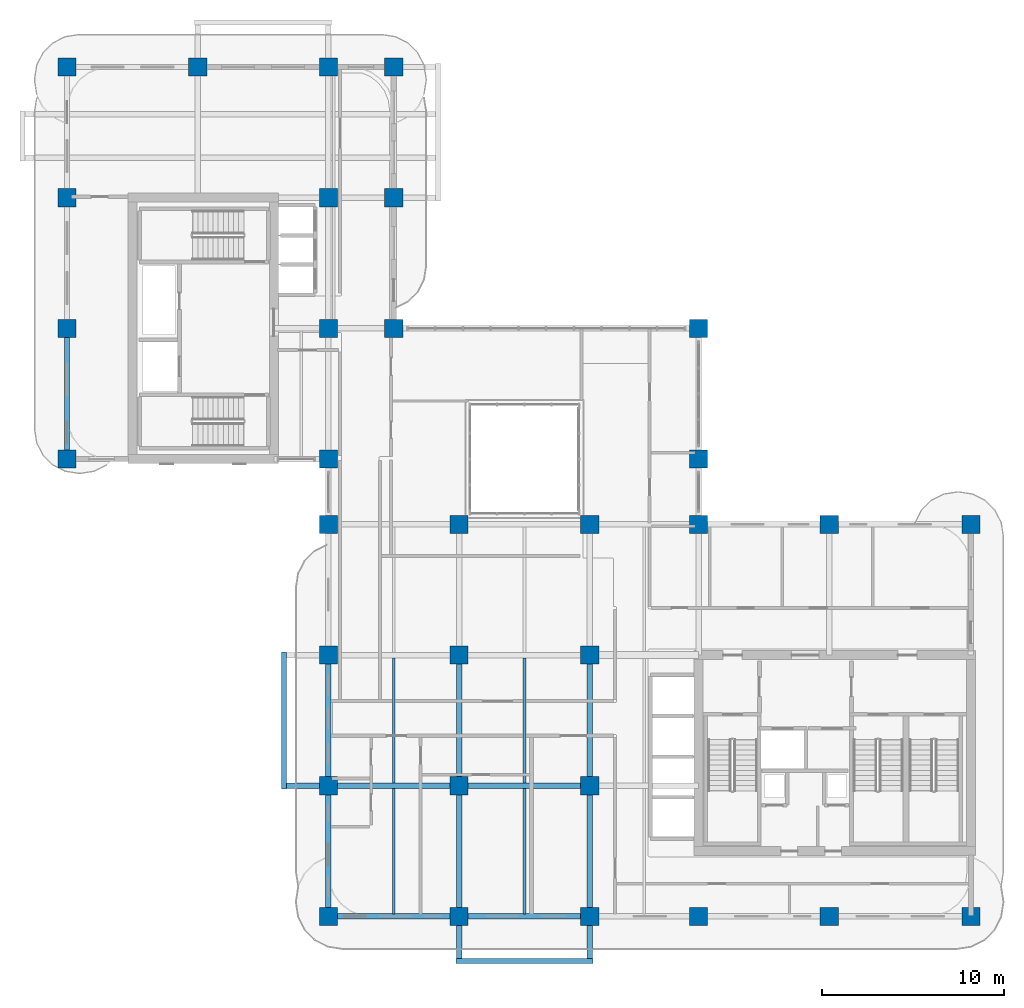
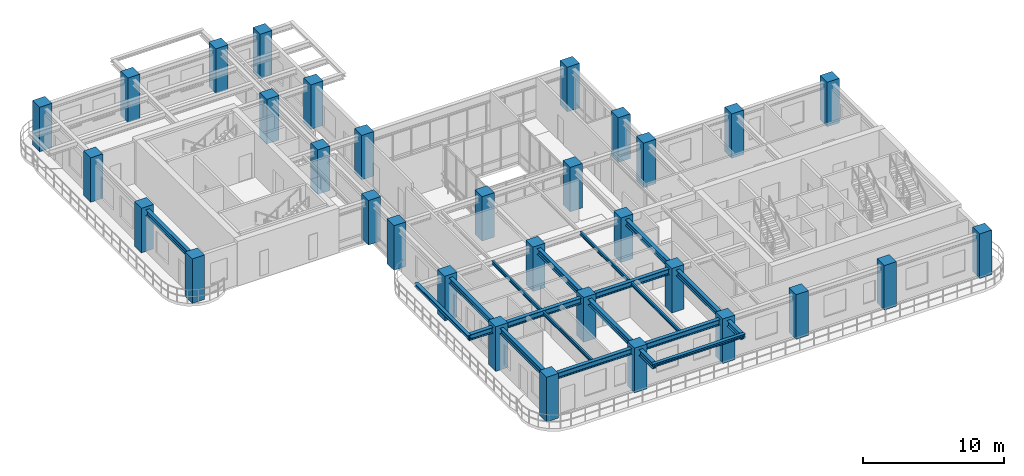
# One storey, part 1 of 19: 32 columns, 17 beams.
"""IFC4 building model written with IfcOpenShell, lengths in metres."""

from ifc_helpers import new_model, si_unit, derived_unit, direction, frame, origin, origin_2d, place, context, subcontext, project, spatial, rectangle, i_section, extrude, source, transform, mapped, material, material_profile, profile_set, type_object, type_shapes, element, save


model = new_model("IFC4")

# Units and contexts
model_context = context("Model", 3, precision=1e-05, world=origin(), true_north=direction((0.0, 1.0)))
body_context = subcontext(model_context, "Body", "Model", "MODEL_VIEW")
ifc_project = project(units=[si_unit("LENGTHUNIT", "METRE"), si_unit("AREAUNIT", "SQUARE_METRE"), si_unit("VOLUMEUNIT", "CUBIC_METRE"), si_unit("PLANEANGLEUNIT", "RADIAN"), si_unit("MASSUNIT", "GRAM", prefix="KILO"), si_unit("THERMODYNAMICTEMPERATUREUNIT", "KELVIN"), si_unit("POWERUNIT", "WATT"), derived_unit("THERMALTRANSMITTANCEUNIT", [(si_unit("POWERUNIT", "WATT"), 1), (si_unit("AREAUNIT", "SQUARE_METRE"), -1), (si_unit("THERMODYNAMICTEMPERATUREUNIT", "KELVIN"), -1)])], contexts=[model_context])

# Site, building, storey
site_placement = place(None, origin())
site = spatial("IfcSite", under=ifc_project, at=site_placement, CompositionType="ELEMENT")
building_placement = place(site_placement, origin())
building = spatial("IfcBuilding", under=site, at=building_placement, Name="Zahravan Archway Hotel and Residences", CompositionType="ELEMENT")
storey_placement = place(building_placement, frame((0.0, 0.0, 150.300048828125)))
storey = spatial("IfcBuildingStorey", under=building, at=storey_placement, Name="L37", CompositionType="ELEMENT", Elevation=150.300048828125)

# Columns
ifc_material_1 = material(Name="Concrete C60/75", Category="concrete")
ifc_material_profile_1 = material_profile(ifc_material_1, rectangle(XDim=1.0, YDim=1.0, at=origin_2d()), Name="RC-COL-1000x1000", Category="concrete")
ifc_profile_set_1 = profile_set([ifc_material_profile_1], Name="Concrete C60/75")
column_type = type_object("IfcColumnType", Name="COL-RC-1000", PredefinedType="COLUMN", material=ifc_profile_set_1)
shared_shape_1 = source(origin(), body_context, "Body", "SweptSolid", [
    extrude(rectangle(XDim=1.0, YDim=1.0, at=origin_2d()), origin(), (0.0, 0.0, 1.0), 3.849853515625),
])
for number, where, z_axis, x_axis, name in (
    (1, (0.0, 25.199951171875, 0.0), (0.0, 0.0, 1.0), (1.0, 0.0, 0.0), "L37 Column 1-E"),
    (2, (0.0, 32.39990234375, 0.0), (0.0, 0.0, 1.0), (1.0, 0.0, 0.0), "L37 Column 1-F"),
    (3, (0.0, 39.60009765625, 0.0), (0.0, 0.0, 1.0), (1.0, 0.0, 0.0), "L37 Column 1-G"),
    (4, (0.0, 46.800048828125, 0.0), (0.0, 0.0, 1.0), (1.0, 0.0, 0.0), "L37 Column 1-H"),
    (5, (7.199951171875, 46.800048828125, 0.0), (0.0, 0.0, 1.0), (1.0, 0.0, 0.0), "L37 Column 2-H"),
    (6, (14.39990234375, 0.0, 0.0), (0.0, 0.0, 1.0), (1.0, 0.0, 0.0), "L37 Column 3-A"),
    (7, (14.39990234375, 7.199951171875, 0.0), (0.0, 0.0, 1.0), (1.0, 0.0, 0.0), "L37 Column 3-B"),
    (8, (14.39990234375, 14.39990234375, 0.0), (0.0, 0.0, 1.0), (1.0, 0.0, 0.0), "L37 Column 3-C"),
    (9, (14.39990234375, 21.60009765625, 0.0), (0.0, 0.0, 1.0), (1.0, 0.0, 0.0), "L37 Column 3-D"),
    (10, (14.39990234375, 25.199951171875, 0.0), (0.0, 0.0, 1.0), (1.0, 0.0, 0.0), "L37 Column 3-E"),
    (11, (14.39990234375, 32.39990234375, 0.0), (0.0, 0.0, 1.0), (1.0, 0.0, 0.0), "L37 Column 3-F"),
    (12, (14.39990234375, 39.60009765625, 0.0), (0.0, 0.0, 1.0), (1.0, 0.0, 0.0), "L37 Column 3-G"),
    (13, (14.39990234375, 46.800048828125, 0.0), (0.0, 0.0, 1.0), (1.0, 0.0, 0.0), "L37 Column 3-H"),
    (14, (21.60009765625, 0.0, 0.0), (0.0, 0.0, 1.0), (1.0, 0.0, 0.0), "L37 Column 4-A"),
    (15, (21.60009765625, 7.199951171875, 0.0), (0.0, 0.0, 1.0), (1.0, 0.0, 0.0), "L37 Column 4-B"),
    (16, (21.60009765625, 14.39990234375, 0.0), (0.0, 0.0, 1.0), (1.0, 0.0, 0.0), "L37 Column 4-C"),
    (17, (21.60009765625, 21.60009765625, 0.0), (0.0, 0.0, 1.0), (1.0, 0.0, 0.0), "L37 Column 4-D"),
    (18, (28.800048828125, 0.0, 0.0), (0.0, 0.0, 1.0), (1.0, 0.0, 0.0), "L37 Column 5-A"),
    (19, (28.800048828125, 7.199951171875, 0.0), (0.0, 0.0, 1.0), (1.0, 0.0, 0.0), "L37 Column 5-B"),
    (20, (28.800048828125, 14.39990234375, 0.0), (0.0, 0.0, 1.0), (1.0, 0.0, 0.0), "L37 Column 5-C"),
    (21, (28.800048828125, 21.60009765625, 0.0), (0.0, 0.0, 1.0), (1.0, 0.0, 0.0), "L37 Column 5-D"),
    (22, (34.800048828125, 0.0, 0.0), (0.0, 0.0, 1.0), (1.0, 0.0, 0.0), "L37 Column 6-A"),
    (23, (34.800048828125, 21.60009765625, 0.0), (0.0, 0.0, 1.0), (1.0, 0.0, 0.0), "L37 Column 6-D"),
    (24, (34.800048828125, 25.199951171875, 0.0), (0.0, 0.0, 1.0), (1.0, 0.0, 0.0), "L37 Column 6-E"),
    (25, (34.800048828125, 32.39990234375, 0.0), (0.0, 0.0, 1.0), (1.0, 0.0, 0.0), "L37 Column 6-F"),
    (26, (42.0, 0.0, 0.0), (0.0, 0.0, 1.0), (1.0, 0.0, 0.0), "L37 Column 7-A"),
    (27, (42.0, 21.60009765625, 0.0), (0.0, 0.0, 1.0), (1.0, 0.0, 0.0), "L37 Column 7-D"),
    (28, (49.800048828125, 0.0, 0.0), (0.0, 0.0, 1.0), (1.0, 0.0, 0.0), "L37 Column 8-A"),
    (29, (49.800048828125, 21.60009765625, 0.0), (0.0, 0.0, 1.0), (1.0, 0.0, 0.0), "L37 Column 8-D"),
    (30, (18.0, 32.39990234375, 0.0), (0.0, 0.0, 1.0), (1.0, 0.0, 0.0), "L37 Column 3B-F"),
    (31, (18.0, 39.60009765625, 0.0), (0.0, 0.0, 1.0), (1.0, 0.0, 0.0), "L37 Column 3B-G"),
    (32, (18.0, 46.800048828125, 0.0), (0.0, 0.0, 1.0), (1.0, 0.0, 0.0), "L37 Column 3B-H"),
):
    element("IfcColumn", number, at=place(storey_placement, frame(where, z_axis=z_axis, x_axis=x_axis)), inside=storey, type_object=column_type, Name=name, PredefinedType="COLUMN", context=body_context, shape_type="MappedRepresentation", body=[
        mapped(shared_shape_1, transform((0.0, 0.0, 0.0), scale=1.0)),
    ])

# Beams
ifc_material_2 = material(Name="Structural Steel S355JR", Category="steel")
ifc_material_profile_2 = material_profile(ifc_material_2, i_section(OverallWidth=0.280029296875, OverallDepth=0.280029296875, WebThickness=0.010498046875, FlangeThickness=0.01806640625, FilletRadius=0.02392578125, at=origin_2d()), Name="HEB 280", Category="steel")
ifc_profile_set_2 = profile_set([ifc_material_profile_2], Name="Structural Steel S355JR")
beam_type_1 = type_object("IfcBeamType", Name="BM-SPN-HEB280", PredefinedType="SPANDREL", material=ifc_profile_set_2)
shared_shape_2 = source(origin(), body_context, "Body", "SweptSolid", [
    extrude(i_section(OverallWidth=0.280029296875, OverallDepth=0.280029296875, WebThickness=0.010498046875, FlangeThickness=0.01806640625, FilletRadius=0.02392578125, at=origin_2d()), origin(), (0.0, 0.0, 1.0), 7.56005859375),
])
type_shapes(beam_type_1, [shared_shape_2])
for number, where, z_axis, x_axis, name in (
    (33, (11.949951171875, 7.02001953125, 3.4599609375), (0.0, 1.0, 0.0), (-1.0, 0.0, 0.0), "L38 WA Balcony Edge Spandrel"),
    (34, (21.419921875, -2.449951171875, 3.4599609375), (1.0, 0.0, 0.0), (0.0, 1.0, 0.0), "L38 SA Balcony Edge Spandrel"),
):
    element("IfcBeam", number, at=place(storey_placement, frame(where, z_axis=z_axis, x_axis=x_axis)), inside=storey, type_object=beam_type_1, Name=name, PredefinedType="SPANDREL", context=body_context, shape_type="MappedRepresentation", body=[
        mapped(shared_shape_2, transform((0.0, 0.0, 0.0), scale=1.0)),
    ])
ifc_material_profile_3 = material_profile(ifc_material_2, i_section(OverallWidth=0.300048828125, OverallDepth=0.5, WebThickness=0.014404296875, FlangeThickness=0.028076171875, FilletRadius=0.027099609375, at=origin_2d()), Name="HEB 500", Category="steel")
ifc_profile_set_3 = profile_set([ifc_material_profile_3], Name="Structural Steel S355JR")
beam_type_2 = type_object("IfcBeamType", Name="BM-PRI-HEB500", PredefinedType="BEAM", material=ifc_profile_set_3)
shared_shape_3 = source(origin(), body_context, "Body", "SweptSolid", [
    extrude(i_section(OverallWidth=0.300048828125, OverallDepth=0.5, WebThickness=0.014404296875, FlangeThickness=0.028076171875, FilletRadius=0.027099609375, at=origin_2d()), origin(), (0.0, 0.0, 1.0), 7.2001953125),
])
type_shapes(beam_type_2, [shared_shape_3])
beam_1_placement = place(storey_placement, frame((14.39990234375, 0.0, 3.349853515625), z_axis=(1.0, 0.0, 0.0), x_axis=(0.0, 1.0, 0.0)))
element("IfcBeam", 35, at=beam_1_placement, inside=storey, type_object=beam_type_2, Name="L37 Primary Girder EW-01", PredefinedType="BEAM", context=body_context, shape_type="MappedRepresentation", body=[
    mapped(shared_shape_3, transform((0.0, 0.0, 0.0), scale=1.0)),
])
shared_shape_4 = source(origin(), body_context, "Body", "SweptSolid", [
    extrude(i_section(OverallWidth=0.300048828125, OverallDepth=0.5, WebThickness=0.014404296875, FlangeThickness=0.028076171875, FilletRadius=0.027099609375, at=origin_2d()), origin(), (0.0, 0.0, 1.0), 7.199951171875),
])
for number, where, z_axis, x_axis, name in (
    (36, (21.60009765625, 0.0, 3.349853515625), (1.0, 0.0, 0.0), (0.0, 1.0, 0.0), "L37 Primary Girder EW-02"),
    (37, (21.60009765625, 7.199951171875, 3.349853515625), (1.0, 0.0, 0.0), (0.0, 1.0, 0.0), "L37 Primary Girder EW-07"),
    (38, (0.0, 25.199951171875, 3.349853515625), (0.0, 1.0, 0.0), (-1.0, 0.0, 0.0), "L37 Primary Girder NS-24"),
    (39, (14.39990234375, 0.0, 3.349853515625), (0.0, 1.0, 0.0), (-1.0, 0.0, 0.0), "L37 Primary Girder NS-28"),
    (40, (14.39990234375, 7.199951171875, 3.349853515625), (0.0, 1.0, 0.0), (-1.0, 0.0, 0.0), "L37 Primary Girder NS-29"),
    (41, (21.60009765625, 7.199951171875, 3.349853515625), (0.0, 1.0, 0.0), (-1.0, 0.0, 0.0), "L37 Primary Girder NS-36"),
    (42, (28.800048828125, 7.199951171875, 3.349853515625), (0.0, 1.0, 0.0), (-1.0, 0.0, 0.0), "L37 Primary Girder NS-39"),
):
    element("IfcBeam", number, at=place(storey_placement, frame(where, z_axis=z_axis, x_axis=x_axis)), inside=storey, type_object=beam_type_2, Name=name, PredefinedType="BEAM", context=body_context, shape_type="MappedRepresentation", body=[
        mapped(shared_shape_4, transform((0.0, 0.0, 0.0), scale=1.0)),
    ])
shared_shape_5 = source(origin(), body_context, "Body", "SweptSolid", [
    extrude(i_section(OverallWidth=0.300048828125, OverallDepth=0.5, WebThickness=0.014404296875, FlangeThickness=0.028076171875, FilletRadius=0.027099609375, at=origin_2d()), origin(), (0.0, 0.0, 1.0), 9.650146484375),
])
beam_2_placement = place(storey_placement, frame((11.949951171875, 7.199951171875, 3.349853515625), z_axis=(1.0, 0.0, 0.0), x_axis=(0.0, 1.0, 0.0)))
element("IfcBeam", 43, at=beam_2_placement, inside=storey, type_object=beam_type_2, Name="L37 Primary Girder EW-06", PredefinedType="BEAM", context=body_context, shape_type="MappedRepresentation", body=[
    mapped(shared_shape_5, transform((0.0, 0.0, 0.0), scale=1.0)),
])
shared_shape_6 = source(origin(), body_context, "Body", "SweptSolid", [
    extrude(i_section(OverallWidth=0.300048828125, OverallDepth=0.5, WebThickness=0.014404296875, FlangeThickness=0.028076171875, FilletRadius=0.027099609375, at=origin_2d()), origin(), (0.0, 0.0, 1.0), 9.64990234375),
])
for number, where, z_axis, x_axis, name in (
    (44, (21.60009765625, -2.449951171875, 3.349853515625), (0.0, 1.0, 0.0), (-1.0, 0.0, 0.0), "L37 Primary Girder NS-35"),
    (45, (28.800048828125, -2.449951171875, 3.349853515625), (0.0, 1.0, 0.0), (-1.0, 0.0, 0.0), "L37 Primary Girder NS-38"),
):
    element("IfcBeam", number, at=place(storey_placement, frame(where, z_axis=z_axis, x_axis=x_axis)), inside=storey, type_object=beam_type_2, Name=name, PredefinedType="BEAM", context=body_context, shape_type="MappedRepresentation", body=[
        mapped(shared_shape_6, transform((0.0, 0.0, 0.0), scale=1.0)),
    ])
ifc_material_profile_4 = material_profile(ifc_material_2, i_section(OverallWidth=0.14990234375, OverallDepth=0.300048828125, WebThickness=0.007080078125, FlangeThickness=0.0107421875, FilletRadius=0.014892578125, at=origin_2d()), Name="IPE 300", Category="steel")
ifc_profile_set_4 = profile_set([ifc_material_profile_4], Name="Structural Steel S355JR")
beam_type_3 = type_object("IfcBeamType", Name="BM-JST-IPE300", PredefinedType="JOIST", material=ifc_profile_set_4)
shared_shape_7 = source(origin(), body_context, "Body", "SweptSolid", [
    extrude(i_section(OverallWidth=0.14990234375, OverallDepth=0.300048828125, WebThickness=0.007080078125, FlangeThickness=0.0107421875, FilletRadius=0.014892578125, at=origin_2d()), origin(), (0.0, 0.0, 1.0), 6.904052734375),
])
type_shapes(beam_type_3, [shared_shape_7])
for number, where, z_axis, x_axis, name in (
    (46, (18.0, 0.14794921875, 3.449951171875), (0.0, 1.0, 0.0), (-1.0, 0.0, 0.0), "L37 Composite Floor Joist 01"),
    (47, (25.199951171875, 0.14794921875, 3.449951171875), (0.0, 1.0, 0.0), (-1.0, 0.0, 0.0), "L37 Composite Floor Joist 02"),
    (48, (18.0, 7.347900390625, 3.449951171875), (0.0, 1.0, 0.0), (-1.0, 0.0, 0.0), "L37 Composite Floor Joist 04"),
    (49, (25.199951171875, 7.347900390625, 3.449951171875), (0.0, 1.0, 0.0), (-1.0, 0.0, 0.0), "L37 Composite Floor Joist 05"),
):
    element("IfcBeam", number, at=place(storey_placement, frame(where, z_axis=z_axis, x_axis=x_axis)), inside=storey, type_object=beam_type_3, Name=name, PredefinedType="JOIST", context=body_context, shape_type="MappedRepresentation", body=[
        mapped(shared_shape_7, transform((0.0, 0.0, 0.0), scale=1.0)),
    ])

save(model, "model.ifc")
